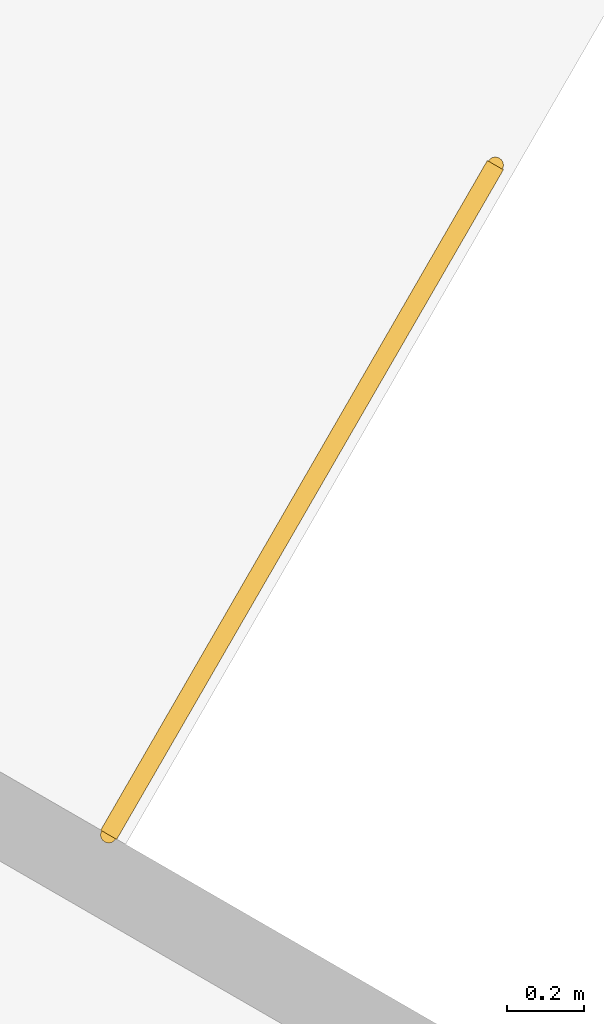
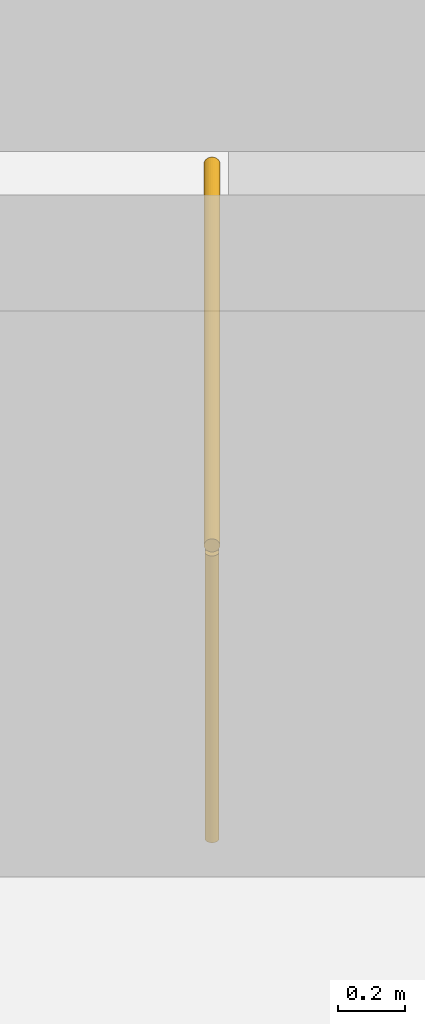
# One storey, part 15 of 15: 1 railing.
"""IFC4 building model written with IfcOpenShell, lengths in metres."""

from ifc_helpers import new_model, si_unit, direction, frame, origin, origin_2d, place, context, subcontext, project, spatial, circle, extrude, material, type_object, element, save


model = new_model("IFC4")

# Units and contexts
model_context = context("Model", 3, precision=1e-05, world=origin(), true_north=direction((0.0, 1.0)))
body_context = subcontext(model_context, "Body", "Model", "MODEL_VIEW")
ifc_project = project(units=[si_unit("LENGTHUNIT", "METRE"), si_unit("AREAUNIT", "SQUARE_METRE"), si_unit("VOLUMEUNIT", "CUBIC_METRE"), si_unit("PLANEANGLEUNIT", "RADIAN"), si_unit("MASSUNIT", "GRAM", prefix="KILO")], contexts=[model_context])

# Site, building, storey
site_placement = place(None, origin())
site = spatial("IfcSite", under=ifc_project, at=site_placement, CompositionType="ELEMENT")
building_placement = place(site_placement, origin())
building = spatial("IfcBuilding", under=site, at=building_placement, Name="Entoto Arch Interchange Tower", CompositionType="ELEMENT")
storey_placement = place(building_placement, frame((0.0, 0.0, 30.0)))
storey = spatial("IfcBuildingStorey", under=building, at=storey_placement, Name="L05", CompositionType="ELEMENT", Elevation=30.0)

# Railing
ifc_material = material(Name="Stainless steel 1.4301", Category="steel")
railing_type = type_object("IfcRailingType", Name="STAIR GUARD 1100 STEEL", PredefinedType="GUARDRAIL", material=ifc_material)
railing_placement = place(storey_placement, frame((29.88720703125, -16.833740234375, 0.0)))
element("IfcRailing", 1, at=railing_placement, inside=storey, type_object=railing_type, Name="L05 PST-SE top well guard 1", PredefinedType="GUARDRAIL", context=body_context, shape_type="SweptSolid", body=[
    extrude(circle(Radius=0.02392578125, at=origin_2d()), frame((0.0, 0.0, 1.076171875), z_axis=(0.50002537861, 0.866010750942, 0.0), x_axis=(-0.866010750942, 0.50002537861, 0.0)), (0.0, 0.0, 1.0), 2.0),
    extrude(circle(Radius=0.02099609375, at=origin_2d()), origin(), (0.0, 0.0, 1.0), 1.052001953125),
    extrude(circle(Radius=0.02099609375, at=origin_2d()), frame((0.5, 0.865966796875, 0.0)), (0.0, 0.0, 1.0), 1.052001953125),
    extrude(circle(Radius=0.02099609375, at=origin_2d()), frame((1.0, 1.73193359375, 0.0)), (0.0, 0.0, 1.0), 1.052001953125),
])

save(model, "model.ifc")
